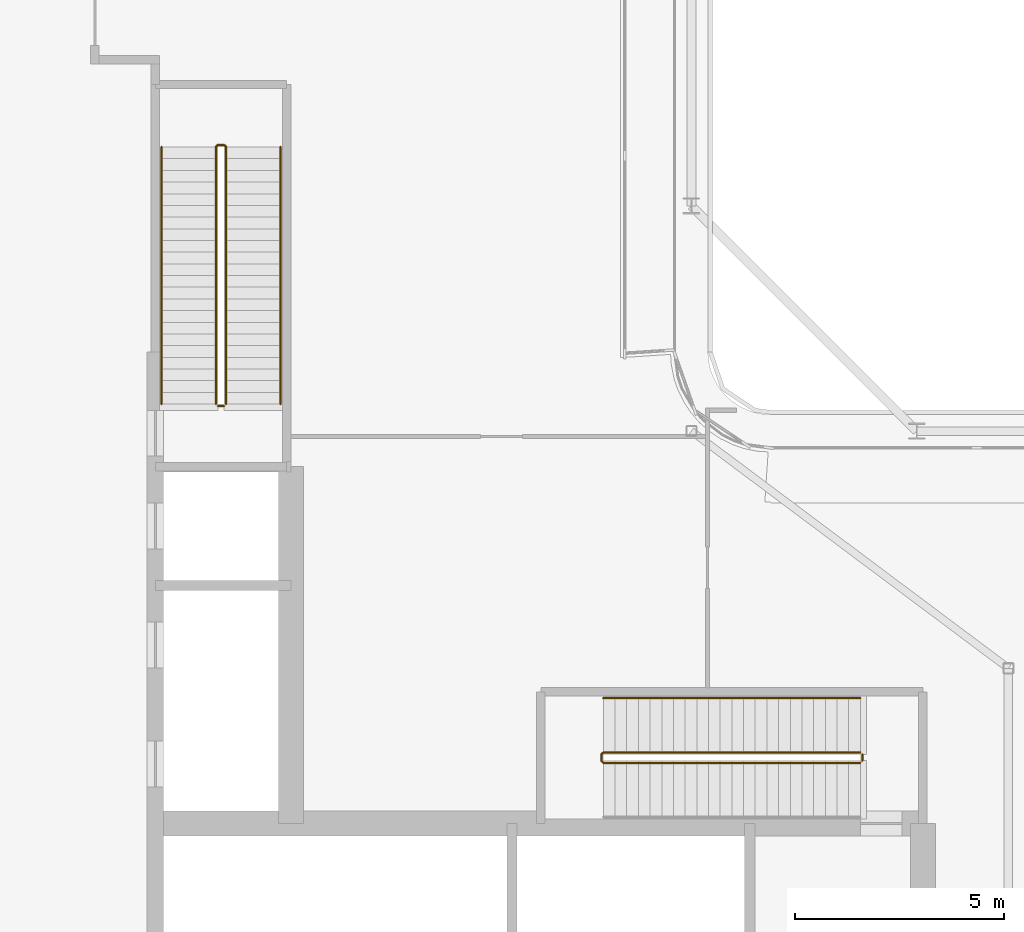
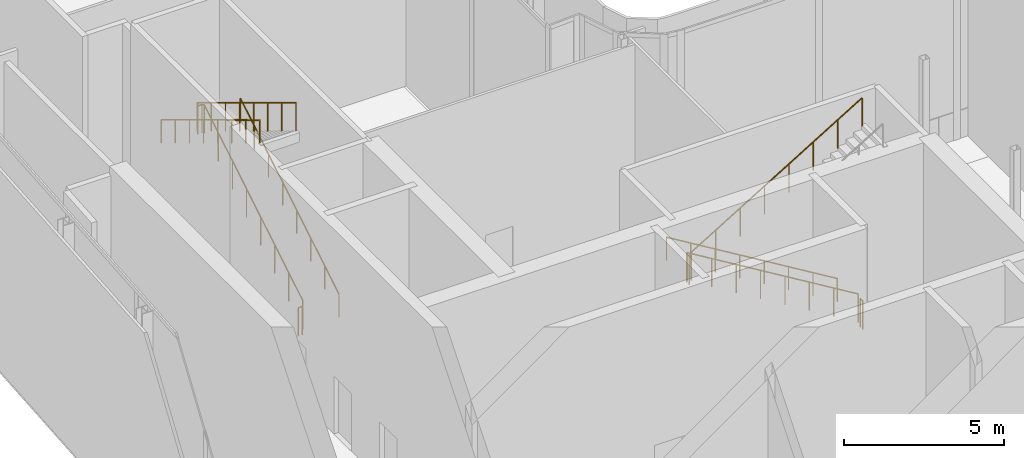
# One storey, part 24 of 27: 7 railings.
"""IFC4 building model written with IfcOpenShell, lengths in metres."""

import ifcopenshell
import ifcopenshell.guid

model = None  # the IFC model being written
_history = None  # IfcOwnerHistory: only IFC2X3 demands one
_inside = {}  # id of a spatial element -> (the spatial element, [elements in it])
_under = {}  # id of a project, library or spatial element -> (it, [spatial elements below it])
_declared = {}  # id of a project -> (the project, [libraries it declares])
_typed = {}  # id of a type object -> (the type object, [elements of that type])
_made_of = {}  # id of a material, layer set ... -> (it, [elements and type objects made of it])


def new_model(schema):
    """Start an empty IFC model of exactly this schema.

    Asked for "IFC4X3", IfcOpenShell would pick the latest addendum, in which some entities
    have other attributes; the version numbers below select the first issue.
    IFC2X3 requires an IfcOwnerHistory on every rooted entity: one is made here for all.
    """
    global model, _history
    if schema == "IFC4X3":
        model = ifcopenshell.file(schema_version=(4, 3, 0, 0))
    else:
        model = ifcopenshell.file(schema=schema)
    _inside.clear()
    _under.clear()
    _declared.clear()
    _typed.clear()
    _made_of.clear()
    _history = None
    if model.schema == "IFC2X3":
        org = make("IfcOrganization", Name="unknown")
        user = make(
            "IfcPersonAndOrganization",
            ThePerson=make("IfcPerson", FamilyName="unknown"),
            TheOrganization=org,
        )
        app = make(
            "IfcApplication",
            ApplicationDeveloper=org,
            Version="unknown",
            ApplicationFullName="unknown",
            ApplicationIdentifier="unknown",
        )
        _history = make(
            "IfcOwnerHistory",
            OwningUser=user,
            OwningApplication=app,
            ChangeAction="ADDED",
            CreationDate=0,
        )
    return model


def make(cls, **values):
    """One entity of the class cls with the attributes given. An attribute that is None is left unset."""
    return model.create_entity(
        cls, **{name: value for name, value in values.items() if value is not None}
    )


def rooted(cls, **values):
    """An entity with a GlobalId (a new one), such as an element, a storey or a relation."""
    return make(cls, GlobalId=ifcopenshell.guid.new(), OwnerHistory=_history, **values)


def si_unit(unit_type, name, prefix=None):
    """IfcSIUnit, for example si_unit("LENGTHUNIT", "METRE", prefix="MILLI")."""
    return make("IfcSIUnit", UnitType=unit_type, Prefix=prefix, Name=name)


def assignment(units):
    """IfcUnitAssignment: the units of a project."""
    return None if units is None else make("IfcUnitAssignment", Units=units)


def point(xyz):
    """IfcCartesianPoint."""
    return None if xyz is None else make("IfcCartesianPoint", Coordinates=xyz)


def direction(xyz):
    """IfcDirection."""
    return None if xyz is None else make("IfcDirection", DirectionRatios=xyz)


def frame(location, z_axis=None, x_axis=None):
    """IfcAxis2Placement3D, a coordinate frame: its origin and axes. An axis left out is left unset."""
    return make(
        "IfcAxis2Placement3D",
        Location=point(location),
        Axis=direction(z_axis),
        RefDirection=direction(x_axis),
    )


def frame_2d(location, x_axis=None):
    """IfcAxis2Placement2D, a coordinate frame in the plane: its origin and x axis."""
    return make(
        "IfcAxis2Placement2D", Location=point(location), RefDirection=direction(x_axis)
    )


def origin():
    """The frame at (0, 0, 0) with its axes left unset."""
    return frame((0.0, 0.0, 0.0))


def origin_2d():
    """The frame at (0, 0) in the plane with its x axis left unset."""
    return frame_2d((0.0, 0.0))


def place(relative_to, where):
    """IfcLocalPlacement: puts the frame where relative to a parent placement (None: the world)."""
    return make(
        "IfcLocalPlacement", PlacementRelTo=relative_to, RelativePlacement=where
    )


def context(
    kind, dimensions, precision=None, world=None, true_north=None, identifier=None
):
    """IfcGeometricRepresentationContext, for example the 3D "Model" context."""
    return make(
        "IfcGeometricRepresentationContext",
        ContextIdentifier=identifier,
        ContextType=kind,
        CoordinateSpaceDimension=dimensions,
        Precision=precision,
        WorldCoordinateSystem=world,
        TrueNorth=true_north,
    )


def subcontext(parent, identifier, kind, view, scale=None):
    """IfcGeometricRepresentationSubContext, for example "Body" below "Model"."""
    return make(
        "IfcGeometricRepresentationSubContext",
        ContextIdentifier=identifier,
        ContextType=kind,
        ParentContext=parent,
        TargetScale=scale,
        TargetView=view,
    )


def project(units=None, contexts=None):
    """IfcProject with its units and contexts."""
    return rooted(
        "IfcProject",
        Name="project",
        RepresentationContexts=contexts,
        UnitsInContext=assignment(units),
    )


def spatial(cls, under=None, at=None, **own):
    """A site, building, storey or space (cls), placed at a placement, below another one or the project."""
    s = rooted(cls, ObjectPlacement=at, **own)
    if under is not None:
        _under.setdefault(under.id(), (under, []))[1].append(s)
    return s


def profile(cls, at=None, kind="AREA", **sizes):
    """A parametric profile (cls). Its sizes go by their IFC names, for example OverallWidth=200.0."""
    return make(cls, ProfileType=kind, Position=at, **sizes)


def circle(**sizes):
    """IfcCircleProfileDef."""
    return profile("IfcCircleProfileDef", **sizes)


def extrude(swept, where, along, depth):
    """IfcExtrudedAreaSolid: the profile swept, set in the frame where, extruded along a direction by depth."""
    return make(
        "IfcExtrudedAreaSolid",
        SweptArea=swept,
        Position=where,
        ExtrudedDirection=direction(along),
        Depth=depth,
    )


def shape(context_of_items, identifier, shape_type, items):
    """IfcShapeRepresentation: the items that make up one representation, for example the "Body"."""
    return make(
        "IfcShapeRepresentation",
        ContextOfItems=context_of_items,
        RepresentationIdentifier=identifier,
        RepresentationType=shape_type,
        Items=items,
    )


def material(Name=None, Category=None):
    """IfcMaterial."""
    return make("IfcMaterial", Name=Name, Category=Category)


def made_of(thing, what):
    """Note that an element or type object is made of a material, layer set ...; save() writes the relation."""
    if what is not None:
        _made_of.setdefault(what.id(), (what, []))[1].append(thing)
    return thing


def type_object(cls, material=None, **own):
    """A type object (cls), such as IfcWallType, which elements share."""
    return made_of(rooted(cls, **own), material)


def element(
    cls,
    number,
    at=None,
    inside=None,
    cuts=None,
    type_object=None,
    material=None,
    context=None,
    identifier="Body",
    shape_type=None,
    held_by="IfcProductDefinitionShape",
    body=None,
    shapes=None,
    **own,
):
    """One element of the class cls, such as IfcWall. Its Tag is "e" and its number.

    at: its placement. inside: the storey or other place that contains it. cuts: it is an
    opening in that element (IfcRelVoidsElement). A single representation is given by context,
    identifier, shape_type and body (its items); several are given by shapes. held_by: the class
    of the entity that holds the representations. save() writes the other relations.
    """
    e = rooted(cls, Tag="e%d" % number, ObjectPlacement=at, **own)
    if body is not None:
        shapes = [shape(context, identifier, shape_type, body)]
    if shapes is not None:
        e.Representation = make(held_by, Representations=shapes)
    if inside is not None:
        _inside.setdefault(inside.id(), (inside, []))[1].append(e)
    if cuts is not None:
        rooted(
            "IfcRelVoidsElement", RelatingBuildingElement=cuts, RelatedOpeningElement=e
        )
    if type_object is not None:
        _typed.setdefault(type_object.id(), (type_object, []))[1].append(e)
    return made_of(e, material)


def aggregate(whole, parts):
    """IfcRelAggregates: a whole, such as a stair, and the parts it consists of."""
    return rooted("IfcRelAggregates", RelatingObject=whole, RelatedObjects=parts)


def save(model, path):
    """Write the relations noted so far, then the file.

    IfcRelAggregates (storeys below a building ...), IfcRelContainedInSpatialStructure (elements
    in a storey), IfcRelDefinesByType, IfcRelAssociatesMaterial and IfcRelDeclares: one each for
    every whole, place, type object, material and project.
    """
    for whole, parts in _under.values():
        aggregate(whole, parts)
    for where, things in _inside.values():
        rooted(
            "IfcRelContainedInSpatialStructure",
            RelatedElements=things,
            RelatingStructure=where,
        )
    for kind, things in _typed.values():
        rooted("IfcRelDefinesByType", RelatedObjects=things, RelatingType=kind)
    for what, things in _made_of.values():
        rooted("IfcRelAssociatesMaterial", RelatedObjects=things, RelatingMaterial=what)
    for by, libraries in _declared.values():
        rooted("IfcRelDeclares", RelatingContext=by, RelatedDefinitions=libraries)
    model.write(path)


model = new_model("IFC4")

# Units and contexts
model_context = context("Model", 3, precision=1e-05, world=origin(), true_north=direction((0.0, 1.0)))
body_context = subcontext(model_context, "Body", "Model", "MODEL_VIEW")
ifc_project = project(units=[si_unit("LENGTHUNIT", "METRE"), si_unit("AREAUNIT", "SQUARE_METRE"), si_unit("VOLUMEUNIT", "CUBIC_METRE"), si_unit("PLANEANGLEUNIT", "RADIAN"), si_unit("MASSUNIT", "GRAM", prefix="KILO")], contexts=[model_context])

# Site, building, storey
site_placement = place(None, origin())
site = spatial("IfcSite", under=ifc_project, at=site_placement, CompositionType="ELEMENT")
building_placement = place(site_placement, origin())
building = spatial("IfcBuilding", under=site, at=building_placement, Name="Kheshtan School and Residences Tower", CompositionType="ELEMENT")
storey_placement = place(building_placement, frame((0.0, 0.0, 266.89990234375)))
storey = spatial("IfcBuildingStorey", under=building, at=storey_placement, Name="L63", CompositionType="ELEMENT", Elevation=266.89990234375)

# Railings
ifc_material_1 = material(Name="Stainless steel balustrade", Category="steel")
railing_type_1 = type_object("IfcRailingType", Name="Stair guard 1100", PredefinedType="GUARDRAIL", material=ifc_material_1)
railing_1_placement = place(storey_placement, frame((51.64990234375, 37.89990234375, 0.169677734375)))
element("IfcRailing", 1, at=railing_1_placement, inside=storey, type_object=railing_type_1, Name="L63 ST1 stair guard 1", PredefinedType="GUARDRAIL", context=body_context, shape_type="SweptSolid", body=[
    extrude(circle(Radius=0.02392578125, at=origin_2d()), frame((0.0, 0.0, 1.076171875), z_axis=(-0.855370820849, 0.0, 0.518016176234), x_axis=(0.0, -1.0, 0.0)), (0.0, 0.0, 1.0), 7.201416015625),
    extrude(circle(Radius=0.02392578125, at=origin_2d()), frame((-6.159912109375, 0.0, 4.806640625), z_axis=(-0.708833529934, -0.705375805398, 0.0), x_axis=(0.705375805398, -0.708833529934, 0.0)), (0.0, 0.0, 1.0), 0.070556640625),
    extrude(circle(Radius=0.02392578125, at=origin_2d()), frame((-6.2099609375, -0.0498046875, 4.806640625), z_axis=(0.0, -1.0, 0.0), x_axis=(1.0, 0.0, 0.0)), (0.0, 0.0, 1.0), 0.150146484375),
    extrude(circle(Radius=0.02392578125, at=origin_2d()), frame((-6.2099609375, -0.199951171875, 4.806640625), z_axis=(0.272562526181, -0.272562526181, 0.92272386912), x_axis=(0.707106781187, 0.707106781187, 0.0)), (0.0, 0.0, 1.0), 0.18359375),
    extrude(circle(Radius=0.02392578125, at=origin_2d()), frame((-6.159912109375, -0.25, 4.97607421875), z_axis=(0.855370820849, 0.0, 0.518016176234), x_axis=(0.0, 1.0, 0.0)), (0.0, 0.0, 1.0), 7.201416015625),
    extrude(circle(Radius=0.02099609375, at=origin_2d()), origin(), (0.0, 0.0, 1.0), 1.052001953125),
    extrude(circle(Radius=0.02099609375, at=origin_2d()), frame((-0.8798828125, 0.0, 0.532958984375)), (0.0, 0.0, 1.0), 1.052001953125),
    extrude(circle(Radius=0.02099609375, at=origin_2d()), frame((-1.760009765625, 0.0, 1.06591796875)), (0.0, 0.0, 1.0), 1.052001953125),
    extrude(circle(Radius=0.02099609375, at=origin_2d()), frame((-2.639892578125, 0.0, 1.598876953125)), (0.0, 0.0, 1.0), 1.052001953125),
    extrude(circle(Radius=0.02099609375, at=origin_2d()), frame((-3.52001953125, 0.0, 2.131591796875)), (0.0, 0.0, 1.0), 1.052001953125),
    extrude(circle(Radius=0.02099609375, at=origin_2d()), frame((-4.39990234375, 0.0, 2.66455078125)), (0.0, 0.0, 1.0), 1.052001953125),
    extrude(circle(Radius=0.02099609375, at=origin_2d()), frame((-5.280029296875, 0.0, 3.197509765625)), (0.0, 0.0, 1.0), 1.052001953125),
    extrude(circle(Radius=0.02099609375, at=origin_2d()), frame((-6.159912109375, 0.0, 3.73046875)), (0.0, 0.0, 1.0), 1.052001953125),
    extrude(circle(Radius=0.02099609375, at=origin_2d()), frame((-6.2099609375, -0.0498046875, 3.73046875)), (0.0, 0.0, 1.0), 1.052001953125),
    extrude(circle(Radius=0.02099609375, at=origin_2d()), frame((-6.2099609375, -0.199951171875, 3.73046875)), (0.0, 0.0, 1.0), 1.052001953125),
    extrude(circle(Radius=0.02099609375, at=origin_2d()), frame((-6.159912109375, -0.25, 3.89990234375)), (0.0, 0.0, 1.0), 1.052001953125),
    extrude(circle(Radius=0.02099609375, at=origin_2d()), frame((-5.280029296875, -0.25, 4.432861328125)), (0.0, 0.0, 1.0), 1.052001953125),
    extrude(circle(Radius=0.02099609375, at=origin_2d()), frame((-4.39990234375, -0.25, 4.9658203125)), (0.0, 0.0, 1.0), 1.052001953125),
    extrude(circle(Radius=0.02099609375, at=origin_2d()), frame((-3.52001953125, -0.25, 5.498779296875)), (0.0, 0.0, 1.0), 1.052001953125),
    extrude(circle(Radius=0.02099609375, at=origin_2d()), frame((-2.639892578125, -0.25, 6.031494140625)), (0.0, 0.0, 1.0), 1.052001953125),
    extrude(circle(Radius=0.02099609375, at=origin_2d()), frame((-1.760009765625, -0.25, 6.564453125)), (0.0, 0.0, 1.0), 1.052001953125),
    extrude(circle(Radius=0.02099609375, at=origin_2d()), frame((-0.8798828125, -0.25, 7.097412109375)), (0.0, 0.0, 1.0), 1.052001953125),
    extrude(circle(Radius=0.02099609375, at=origin_2d()), frame((0.0, -0.25, 7.63037109375)), (0.0, 0.0, 1.0), 1.052001953125),
])
railing_2_placement = place(storey_placement, frame((51.699951171875, 37.85009765625, 0.0)))
element("IfcRailing", 2, at=railing_2_placement, inside=storey, type_object=railing_type_1, Name="L63 ST1 stair guard 2", PredefinedType="GUARDRAIL", context=body_context, shape_type="SweptSolid", body=[
    extrude(circle(Radius=0.02392578125, at=origin_2d()), frame((0.0, 0.0, 1.076171875), z_axis=(0.0, -1.0, 0.0), x_axis=(1.0, 0.0, 0.0)), (0.0, 0.0, 1.0), 0.150146484375),
    extrude(circle(Radius=0.02099609375, at=origin_2d()), origin(), (0.0, 0.0, 1.0), 1.052001953125),
    extrude(circle(Radius=0.02099609375, at=origin_2d()), frame((0.0, -0.150146484375, 0.0)), (0.0, 0.0, 1.0), 1.052001953125),
])
railing_3_placement = place(storey_placement, frame((36.449951171875, 46.25, 0.169677734375)))
element("IfcRailing", 3, at=railing_3_placement, inside=storey, type_object=railing_type_1, Name="L63 ST2 stair guard 1", PredefinedType="GUARDRAIL", context=body_context, shape_type="SweptSolid", body=[
    extrude(circle(Radius=0.02392578125, at=origin_2d()), frame((0.0, 0.0, 1.076171875), z_axis=(0.0, 0.855370820849, 0.518016176234), x_axis=(-1.0, 0.0, 0.0)), (0.0, 0.0, 1.0), 7.201416015625),
    extrude(circle(Radius=0.02392578125, at=origin_2d()), frame((0.0, 6.159912109375, 4.806640625), z_axis=(-0.707106781187, 0.707106781187, 0.0), x_axis=(-0.707106781187, -0.707106781187, 0.0)), (0.0, 0.0, 1.0), 0.07080078125),
    extrude(circle(Radius=0.02392578125, at=origin_2d()), frame((-0.050048828125, 6.2099609375, 4.806640625), z_axis=(-1.0, 0.0, 0.0), x_axis=(0.0, -1.0, 0.0)), (0.0, 0.0, 1.0), 0.14990234375),
    extrude(circle(Radius=0.02392578125, at=origin_2d()), frame((-0.199951171875, 6.2099609375, 4.806640625), z_axis=(-0.272562526181, -0.272562526181, 0.92272386912), x_axis=(0.707106781187, -0.707106781187, 0.0)), (0.0, 0.0, 1.0), 0.18359375),
    extrude(circle(Radius=0.02392578125, at=origin_2d()), frame((-0.25, 6.159912109375, 4.97607421875), z_axis=(0.0, -0.855370820849, 0.518016176234), x_axis=(1.0, 0.0, 0.0)), (0.0, 0.0, 1.0), 7.201416015625),
    extrude(circle(Radius=0.02099609375, at=origin_2d()), origin(), (0.0, 0.0, 1.0), 1.052001953125),
    extrude(circle(Radius=0.02099609375, at=origin_2d()), frame((0.0, 0.8798828125, 0.532958984375)), (0.0, 0.0, 1.0), 1.052001953125),
    extrude(circle(Radius=0.02099609375, at=origin_2d()), frame((0.0, 1.760009765625, 1.06591796875)), (0.0, 0.0, 1.0), 1.052001953125),
    extrude(circle(Radius=0.02099609375, at=origin_2d()), frame((0.0, 2.639892578125, 1.598876953125)), (0.0, 0.0, 1.0), 1.052001953125),
    extrude(circle(Radius=0.02099609375, at=origin_2d()), frame((0.0, 3.52001953125, 2.131591796875)), (0.0, 0.0, 1.0), 1.052001953125),
    extrude(circle(Radius=0.02099609375, at=origin_2d()), frame((0.0, 4.39990234375, 2.66455078125)), (0.0, 0.0, 1.0), 1.052001953125),
    extrude(circle(Radius=0.02099609375, at=origin_2d()), frame((0.0, 5.280029296875, 3.197509765625)), (0.0, 0.0, 1.0), 1.052001953125),
    extrude(circle(Radius=0.02099609375, at=origin_2d()), frame((0.0, 6.159912109375, 3.73046875)), (0.0, 0.0, 1.0), 1.052001953125),
    extrude(circle(Radius=0.02099609375, at=origin_2d()), frame((-0.050048828125, 6.2099609375, 3.73046875)), (0.0, 0.0, 1.0), 1.052001953125),
    extrude(circle(Radius=0.02099609375, at=origin_2d()), frame((-0.199951171875, 6.2099609375, 3.73046875)), (0.0, 0.0, 1.0), 1.052001953125),
    extrude(circle(Radius=0.02099609375, at=origin_2d()), frame((-0.25, 6.159912109375, 3.89990234375)), (0.0, 0.0, 1.0), 1.052001953125),
    extrude(circle(Radius=0.02099609375, at=origin_2d()), frame((-0.25, 5.280029296875, 4.432861328125)), (0.0, 0.0, 1.0), 1.052001953125),
    extrude(circle(Radius=0.02099609375, at=origin_2d()), frame((-0.25, 4.39990234375, 4.9658203125)), (0.0, 0.0, 1.0), 1.052001953125),
    extrude(circle(Radius=0.02099609375, at=origin_2d()), frame((-0.25, 3.52001953125, 5.498779296875)), (0.0, 0.0, 1.0), 1.052001953125),
    extrude(circle(Radius=0.02099609375, at=origin_2d()), frame((-0.25, 2.639892578125, 6.031494140625)), (0.0, 0.0, 1.0), 1.052001953125),
    extrude(circle(Radius=0.02099609375, at=origin_2d()), frame((-0.25, 1.760009765625, 6.564453125)), (0.0, 0.0, 1.0), 1.052001953125),
    extrude(circle(Radius=0.02099609375, at=origin_2d()), frame((-0.25, 0.8798828125, 7.097412109375)), (0.0, 0.0, 1.0), 1.052001953125),
    extrude(circle(Radius=0.02099609375, at=origin_2d()), frame((-0.25, 0.0, 7.63037109375)), (0.0, 0.0, 1.0), 1.052001953125),
])
railing_4_placement = place(storey_placement, frame((36.39990234375, 46.199951171875, 0.0)))
element("IfcRailing", 4, at=railing_4_placement, inside=storey, type_object=railing_type_1, Name="L63 ST2 stair guard 2", PredefinedType="GUARDRAIL", context=body_context, shape_type="SweptSolid", body=[
    extrude(circle(Radius=0.02392578125, at=origin_2d()), frame((0.0, 0.0, 1.076171875), z_axis=(-1.0, 0.0, 0.0), x_axis=(0.0, -1.0, 0.0)), (0.0, 0.0, 1.0), 0.14990234375),
    extrude(circle(Radius=0.02099609375, at=origin_2d()), origin(), (0.0, 0.0, 1.0), 1.052001953125),
    extrude(circle(Radius=0.02099609375, at=origin_2d()), frame((-0.14990234375, 0.0, 0.0)), (0.0, 0.0, 1.0), 1.052001953125),
])
ifc_material_2 = material(Name="Stainless steel handrail", Category="steel")
railing_type_2 = type_object("IfcRailingType", Name="Stair handrail 900", PredefinedType="HANDRAIL", material=ifc_material_2)
railing_5_placement = place(storey_placement, frame((51.64990234375, 39.199951171875, 0.169677734375)))
element("IfcRailing", 5, at=railing_5_placement, inside=storey, type_object=railing_type_2, Name="L63 ST1 stair handrail 1", PredefinedType="HANDRAIL", context=body_context, shape_type="SweptSolid", body=[
    extrude(circle(Radius=0.02392578125, at=origin_2d()), frame((0.0, 0.0, 0.8759765625), z_axis=(-0.855370820849, 0.0, 0.518016176234), x_axis=(0.0, -1.0, 0.0)), (0.0, 0.0, 1.0), 7.201416015625),
    extrude(circle(Radius=0.02099609375, at=origin_2d()), origin(), (0.0, 0.0, 1.0), 0.851806640625),
    extrude(circle(Radius=0.02099609375, at=origin_2d()), frame((-0.8798828125, 0.0, 0.532958984375)), (0.0, 0.0, 1.0), 0.851806640625),
    extrude(circle(Radius=0.02099609375, at=origin_2d()), frame((-1.760009765625, 0.0, 1.06591796875)), (0.0, 0.0, 1.0), 0.851806640625),
    extrude(circle(Radius=0.02099609375, at=origin_2d()), frame((-2.639892578125, 0.0, 1.598876953125)), (0.0, 0.0, 1.0), 0.851806640625),
    extrude(circle(Radius=0.02099609375, at=origin_2d()), frame((-3.52001953125, 0.0, 2.131591796875)), (0.0, 0.0, 1.0), 0.851806640625),
    extrude(circle(Radius=0.02099609375, at=origin_2d()), frame((-4.39990234375, 0.0, 2.66455078125)), (0.0, 0.0, 1.0), 0.851806640625),
    extrude(circle(Radius=0.02099609375, at=origin_2d()), frame((-5.280029296875, 0.0, 3.197509765625)), (0.0, 0.0, 1.0), 0.851806640625),
    extrude(circle(Radius=0.02099609375, at=origin_2d()), frame((-6.159912109375, 0.0, 3.73046875)), (0.0, 0.0, 1.0), 0.851806640625),
])
railing_6_placement = place(storey_placement, frame((37.75, 46.25, 0.169677734375)))
element("IfcRailing", 6, at=railing_6_placement, inside=storey, type_object=railing_type_2, Name="L63 ST2 stair handrail 1", PredefinedType="HANDRAIL", context=body_context, shape_type="SweptSolid", body=[
    extrude(circle(Radius=0.02392578125, at=origin_2d()), frame((0.0, 0.0, 0.8759765625), z_axis=(0.0, 0.855370820849, 0.518016176234), x_axis=(-1.0, 0.0, 0.0)), (0.0, 0.0, 1.0), 7.201416015625),
    extrude(circle(Radius=0.02099609375, at=origin_2d()), origin(), (0.0, 0.0, 1.0), 0.851806640625),
    extrude(circle(Radius=0.02099609375, at=origin_2d()), frame((0.0, 0.8798828125, 0.532958984375)), (0.0, 0.0, 1.0), 0.851806640625),
    extrude(circle(Radius=0.02099609375, at=origin_2d()), frame((0.0, 1.760009765625, 1.06591796875)), (0.0, 0.0, 1.0), 0.851806640625),
    extrude(circle(Radius=0.02099609375, at=origin_2d()), frame((0.0, 2.639892578125, 1.598876953125)), (0.0, 0.0, 1.0), 0.851806640625),
    extrude(circle(Radius=0.02099609375, at=origin_2d()), frame((0.0, 3.52001953125, 2.131591796875)), (0.0, 0.0, 1.0), 0.851806640625),
    extrude(circle(Radius=0.02099609375, at=origin_2d()), frame((0.0, 4.39990234375, 2.66455078125)), (0.0, 0.0, 1.0), 0.851806640625),
    extrude(circle(Radius=0.02099609375, at=origin_2d()), frame((0.0, 5.280029296875, 3.197509765625)), (0.0, 0.0, 1.0), 0.851806640625),
    extrude(circle(Radius=0.02099609375, at=origin_2d()), frame((0.0, 6.159912109375, 3.73046875)), (0.0, 0.0, 1.0), 0.851806640625),
])
railing_7_placement = place(storey_placement, frame((34.89990234375, 52.409912109375, 4.069580078125)))
element("IfcRailing", 7, at=railing_7_placement, inside=storey, type_object=railing_type_2, Name="L63 ST2 stair handrail 2", PredefinedType="HANDRAIL", context=body_context, shape_type="SweptSolid", body=[
    extrude(circle(Radius=0.02392578125, at=origin_2d()), frame((0.0, 0.0, 0.8759765625), z_axis=(0.0, -0.855370820849, 0.518016176234), x_axis=(1.0, 0.0, 0.0)), (0.0, 0.0, 1.0), 7.201416015625),
    extrude(circle(Radius=0.02099609375, at=origin_2d()), origin(), (0.0, 0.0, 1.0), 0.851806640625),
    extrude(circle(Radius=0.02099609375, at=origin_2d()), frame((0.0, -0.8798828125, 0.532958984375)), (0.0, 0.0, 1.0), 0.851806640625),
    extrude(circle(Radius=0.02099609375, at=origin_2d()), frame((0.0, -1.760009765625, 1.06591796875)), (0.0, 0.0, 1.0), 0.851806640625),
    extrude(circle(Radius=0.02099609375, at=origin_2d()), frame((0.0, -2.639892578125, 1.598876953125)), (0.0, 0.0, 1.0), 0.851806640625),
    extrude(circle(Radius=0.02099609375, at=origin_2d()), frame((0.0, -3.52001953125, 2.131591796875)), (0.0, 0.0, 1.0), 0.851806640625),
    extrude(circle(Radius=0.02099609375, at=origin_2d()), frame((0.0, -4.39990234375, 2.66455078125)), (0.0, 0.0, 1.0), 0.851806640625),
    extrude(circle(Radius=0.02099609375, at=origin_2d()), frame((0.0, -5.280029296875, 3.197509765625)), (0.0, 0.0, 1.0), 0.851806640625),
    extrude(circle(Radius=0.02099609375, at=origin_2d()), frame((0.0, -6.159912109375, 3.73046875)), (0.0, 0.0, 1.0), 0.851806640625),
])

save(model, "model.ifc")
